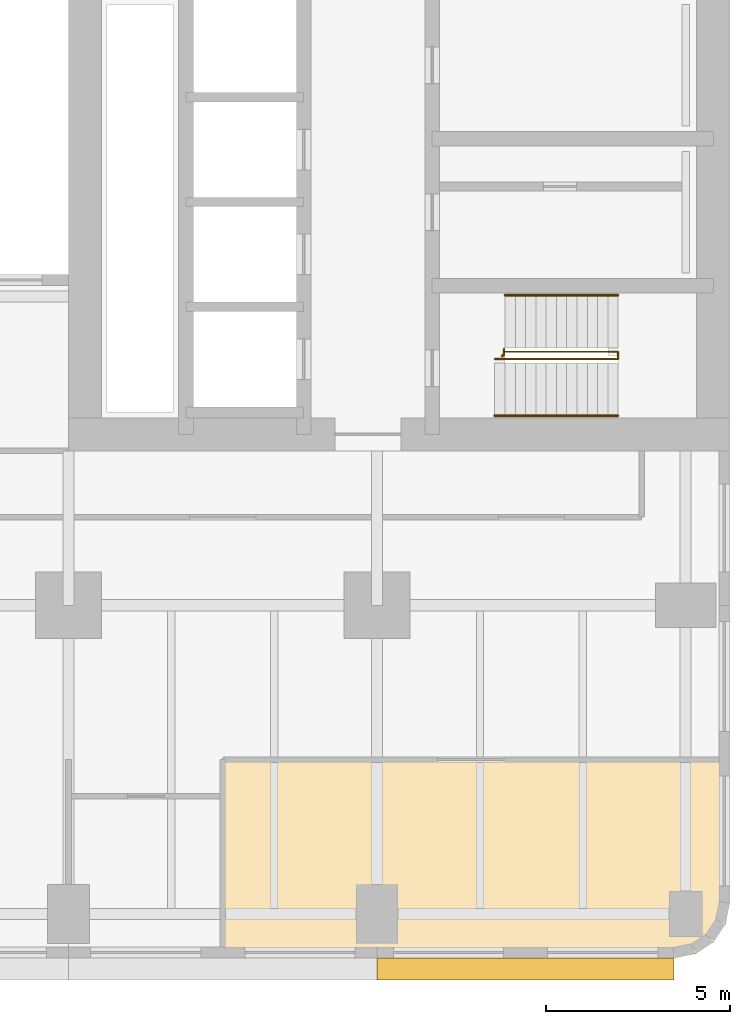
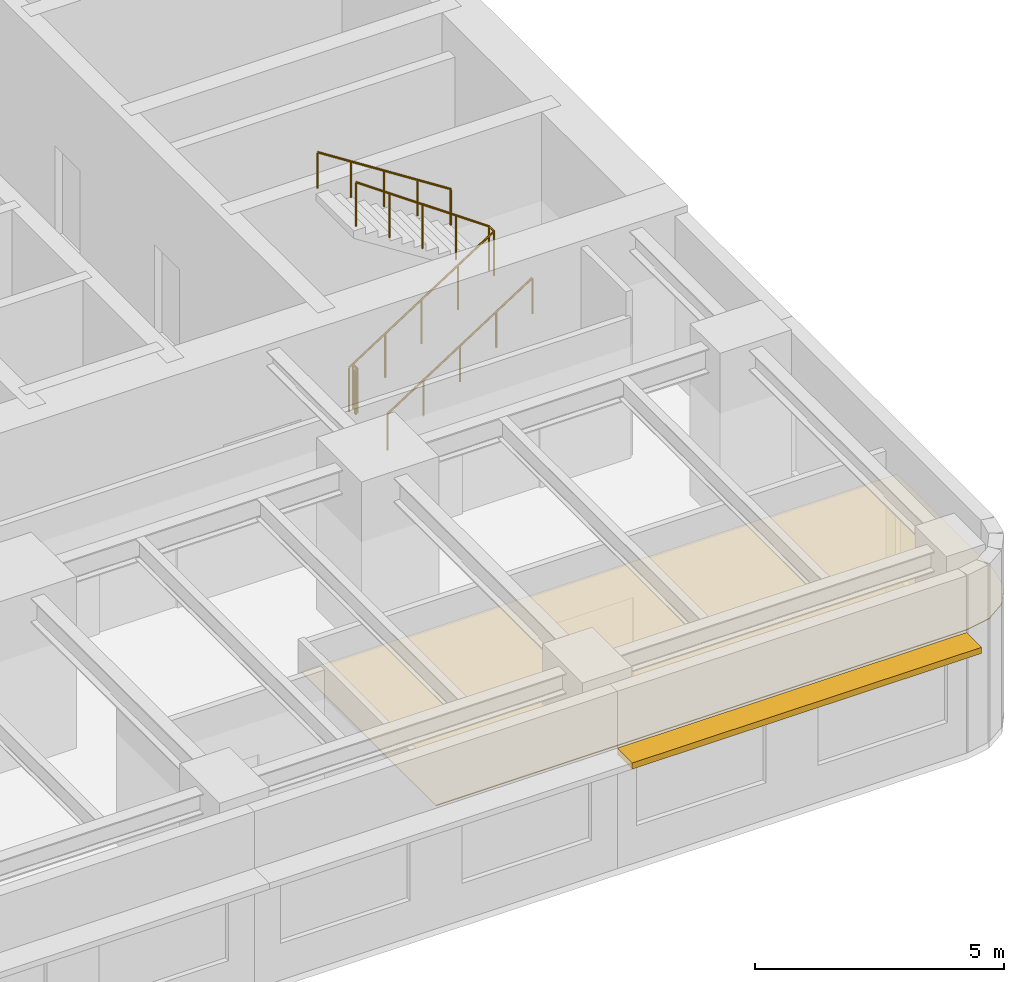
# One storey, part 11 of 14: 4 railings, 1 covering, 1 shading device.
"""IFC4 building model written with IfcOpenShell, lengths in metres."""

from ifc_helpers import new_model, si_unit, direction, frame, origin, origin_2d, place, context, subcontext, project, spatial, polyline, rectangle, circle, outline, extrude, material, layer, layer_set, type_object, element, save


model = new_model("IFC4")

# Units and contexts
model_context = context("Model", 3, precision=1e-05, world=origin(), true_north=direction((0.0, 1.0)))
body_context = subcontext(model_context, "Body", "Model", "MODEL_VIEW")
ifc_project = project(units=[si_unit("LENGTHUNIT", "METRE"), si_unit("AREAUNIT", "SQUARE_METRE"), si_unit("VOLUMEUNIT", "CUBIC_METRE"), si_unit("PLANEANGLEUNIT", "RADIAN"), si_unit("MASSUNIT", "GRAM", prefix="KILO")], contexts=[model_context])

# Site, building, storey
site_placement = place(None, origin())
site = spatial("IfcSite", under=ifc_project, at=site_placement, CompositionType="ELEMENT")
building_placement = place(site_placement, origin())
building = spatial("IfcBuilding", under=site, at=building_placement, Name="Claustro Exchange Tower", CompositionType="ELEMENT")
storey_placement = place(building_placement, frame((0.0, 0.0, 23.39990234375)))
storey = spatial("IfcBuildingStorey", under=building, at=storey_placement, Name="L05", CompositionType="ELEMENT", Elevation=23.39990234375)

# Covering
ifc_material_1 = material(Name="Gypsum board ceiling", Category="gypsum board")
ifc_layer_1 = layer(ifc_material_1, 0.02490234375)
ifc_layer_set_1 = layer_set([ifc_layer_1], Name="Gypsum board ceiling")
covering_type = type_object("IfcCoveringType", Name="CL2 plasterboard ceiling", PredefinedType="CEILING", material=ifc_layer_set_1)
covering_placement = place(storey_placement, frame((0.0, 0.0, 3.0)))
element("IfcCovering", 1, at=covering_placement, inside=storey, type_object=covering_type, Name="Ceiling CL2 L05-05", PredefinedType="CEILING", context=body_context, shape_type="SweptSolid", body=[
    extrude(outline(polyline([(51.60009765625, 0.300048828125), (51.60009765625, 4.199951171875), (37.800048828125, 4.199951171875), (37.800048828125, -1.199951171875), (50.10009765625, -1.199951171875), (50.674072265625, -1.085693359375), (51.16064453125, -0.7607421875), (51.48583984375, -0.27392578125), (51.60009765625, 0.300048828125)])), origin(), (0.0, 0.0, 1.0), 0.025146484375),
])

# Railings
ifc_material_2 = material(Name="Steel balustrade, painted", Category="steel")
railing_type_1 = type_object("IfcRailingType", Name="GR2 1100 steel stair guard", PredefinedType="GUARDRAIL", material=ifc_material_2)
railing_1_placement = place(storey_placement, frame((45.199951171875, 15.10009765625, 0.18017578125)))
element("IfcRailing", 2, at=railing_1_placement, inside=storey, type_object=railing_type_1, Name="Stair well guard GR2 stair STEA L05", PredefinedType="GUARDRAIL", context=body_context, shape_type="SweptSolid", body=[
    extrude(circle(Radius=0.02392578125, at=origin_2d()), frame((0.0, 0.0, 1.076171875), z_axis=(0.84119634759, 0.0, 0.540729789082), x_axis=(0.0, 1.0, 0.0)), (0.0, 0.0, 1.0), 3.994384765625),
    extrude(circle(Radius=0.02392578125, at=origin_2d()), frame((3.360107421875, 0.0, 3.23583984375), z_axis=(0.0, 1.0, 0.0), x_axis=(-1.0, 0.0, 0.0)), (0.0, 0.0, 1.0), 0.199951171875),
    extrude(circle(Radius=0.02392578125, at=origin_2d()), frame((3.360107421875, 0.199951171875, 3.23583984375), z_axis=(-0.8187499073, 0.0, 0.574150319426), x_axis=(0.0, -1.0, 0.0)), (0.0, 0.0, 1.0), 3.761962890625),
    extrude(circle(Radius=0.02099609375, at=origin_2d()), origin(), (0.0, 0.0, 1.0), 1.052001953125),
    extrude(circle(Radius=0.02099609375, at=origin_2d()), frame((0.840087890625, 0.0, 0.5400390625)), (0.0, 0.0, 1.0), 1.052001953125),
    extrude(circle(Radius=0.02099609375, at=origin_2d()), frame((1.68017578125, 0.0, 1.080078125)), (0.0, 0.0, 1.0), 1.052001953125),
    extrude(circle(Radius=0.02099609375, at=origin_2d()), frame((2.52001953125, 0.0, 1.619873046875)), (0.0, 0.0, 1.0), 1.052001953125),
    extrude(circle(Radius=0.02099609375, at=origin_2d()), frame((3.360107421875, 0.0, 2.159912109375)), (0.0, 0.0, 1.0), 1.052001953125),
    extrude(circle(Radius=0.02099609375, at=origin_2d()), frame((3.360107421875, 0.199951171875, 2.159912109375)), (0.0, 0.0, 1.0), 1.052001953125),
    extrude(circle(Radius=0.02099609375, at=origin_2d()), frame((2.590087890625, 0.199951171875, 2.699951171875)), (0.0, 0.0, 1.0), 1.052001953125),
    extrude(circle(Radius=0.02099609375, at=origin_2d()), frame((1.820068359375, 0.199951171875, 3.23974609375)), (0.0, 0.0, 1.0), 1.052001953125),
    extrude(circle(Radius=0.02099609375, at=origin_2d()), frame((1.050048828125, 0.199951171875, 3.77978515625)), (0.0, 0.0, 1.0), 1.052001953125),
    extrude(circle(Radius=0.02099609375, at=origin_2d()), frame((0.280029296875, 0.199951171875, 4.31982421875)), (0.0, 0.0, 1.0), 1.052001953125),
])
railing_2_placement = place(storey_placement, frame((45.39990234375, 15.169921875, 0.0)))
element("IfcRailing", 3, at=railing_2_placement, inside=storey, type_object=railing_type_1, Name="Stair guard GR2 STEA L05", PredefinedType="GUARDRAIL", context=body_context, shape_type="SweptSolid", body=[
    extrude(circle(Radius=0.02392578125, at=origin_2d()), frame((0.0, 0.0, 1.076171875), z_axis=(0.0, 1.0, 0.0), x_axis=(-1.0, 0.0, 0.0)), (0.0, 0.0, 1.0), 0.030029296875),
    extrude(circle(Radius=0.02392578125, at=origin_2d()), frame((0.0, 0.030029296875, 1.076171875), z_axis=(1.0, 0.0, 0.0), x_axis=(0.0, 1.0, 0.0)), (0.0, 0.0, 1.0), 0.05517578125),
    extrude(circle(Radius=0.02392578125, at=origin_2d()), frame((0.05517578125, 0.030029296875, 1.076171875), z_axis=(0.0, 1.0, 0.0), x_axis=(-1.0, 0.0, 0.0)), (0.0, 0.0, 1.0), 0.179931640625),
    extrude(circle(Radius=0.02099609375, at=origin_2d()), origin(), (0.0, 0.0, 1.0), 1.052001953125),
    extrude(circle(Radius=0.02099609375, at=origin_2d()), frame((0.0, 0.030029296875, 0.0)), (0.0, 0.0, 1.0), 1.052001953125),
    extrude(circle(Radius=0.02099609375, at=origin_2d()), frame((0.05517578125, 0.030029296875, 0.0)), (0.0, 0.0, 1.0), 1.052001953125),
    extrude(circle(Radius=0.02099609375, at=origin_2d()), frame((0.05517578125, 0.2099609375, 0.0)), (0.0, 0.0, 1.0), 1.052001953125),
])
ifc_material_3 = material(Name="Stainless steel tube", Category="steel")
railing_type_2 = type_object("IfcRailingType", Name="HR1 900 stair handrail", PredefinedType="HANDRAIL", material=ifc_material_3)
railing_3_placement = place(storey_placement, frame((45.199951171875, 13.56005859375, 0.18017578125)))
element("IfcRailing", 4, at=railing_3_placement, inside=storey, type_object=railing_type_2, Name="Handrail HR1 stair STEA L05", PredefinedType="HANDRAIL", context=body_context, shape_type="SweptSolid", body=[
    extrude(circle(Radius=0.02392578125, at=origin_2d()), frame((0.0, 0.0, 0.8759765625), z_axis=(0.84119634759, 0.0, 0.540729789082), x_axis=(0.0, 1.0, 0.0)), (0.0, 0.0, 1.0), 3.994384765625),
    extrude(circle(Radius=0.02099609375, at=origin_2d()), origin(), (0.0, 0.0, 1.0), 0.851806640625),
    extrude(circle(Radius=0.02099609375, at=origin_2d()), frame((0.840087890625, 0.0, 0.5400390625)), (0.0, 0.0, 1.0), 0.851806640625),
    extrude(circle(Radius=0.02099609375, at=origin_2d()), frame((1.68017578125, 0.0, 1.080078125)), (0.0, 0.0, 1.0), 0.851806640625),
    extrude(circle(Radius=0.02099609375, at=origin_2d()), frame((2.52001953125, 0.0, 1.619873046875)), (0.0, 0.0, 1.0), 0.851806640625),
    extrude(circle(Radius=0.02099609375, at=origin_2d()), frame((3.360107421875, 0.0, 2.159912109375)), (0.0, 0.0, 1.0), 0.851806640625),
])
railing_4_placement = place(storey_placement, frame((48.56005859375, 16.840087890625, 2.52001953125)))
element("IfcRailing", 5, at=railing_4_placement, inside=storey, type_object=railing_type_2, Name="Handrail HR1 stair STEA L05", PredefinedType="HANDRAIL", context=body_context, shape_type="SweptSolid", body=[
    extrude(circle(Radius=0.02392578125, at=origin_2d()), frame((0.0, 0.0, 0.8759765625), z_axis=(-0.84118714077, 0.0, 0.540744111576), x_axis=(0.0, -1.0, 0.0)), (0.0, 0.0, 1.0), 3.66162109375),
    extrude(circle(Radius=0.02099609375, at=origin_2d()), origin(), (0.0, 0.0, 1.0), 0.851806640625),
    extrude(circle(Radius=0.02099609375, at=origin_2d()), frame((-0.77001953125, 0.0, 0.4951171875)), (0.0, 0.0, 1.0), 0.851806640625),
    extrude(circle(Radius=0.02099609375, at=origin_2d()), frame((-1.5400390625, 0.0, 0.989990234375)), (0.0, 0.0, 1.0), 0.851806640625),
    extrude(circle(Radius=0.02099609375, at=origin_2d()), frame((-2.31005859375, 0.0, 1.48486328125)), (0.0, 0.0, 1.0), 0.851806640625),
    extrude(circle(Radius=0.02099609375, at=origin_2d()), frame((-3.080078125, 0.0, 1.97998046875)), (0.0, 0.0, 1.0), 0.851806640625),
])

# Shading device
ifc_material_4 = material(Name="Concrete HA-40 (C40/50), precast, white cement, acid-etched", Category="concrete")
ifc_layer_2 = layer(ifc_material_4, 0.14990234375)
ifc_layer_set_2 = layer_set([ifc_layer_2], Name="Concrete HA-40 (C40/50), precast, white cement, acid-etched")
shading_device_type = type_object("IfcShadingDeviceType", Name="SS1 600 precast concrete SUNSHADE", PredefinedType="SHUTTER", material=ifc_layer_set_2)
shading_device_placement = place(storey_placement, frame((46.04248046875, -1.5, 2.800048828125), z_axis=(0.0, 0.0, 1.0), x_axis=(-1.0, 0.0, 0.0)))
element("IfcShadingDevice", 6, at=shading_device_placement, inside=storey, type_object=shading_device_type, Name="Precast SUNSHADE SS1 L05", PredefinedType="SHUTTER", context=body_context, shape_type="SweptSolid", body=[
    extrude(rectangle(XDim=8.085205078125, YDim=0.60009765625, at=origin_2d()), origin(), (0.0, 0.0, 1.0), 0.14990234375),
])

save(model, "model.ifc")
